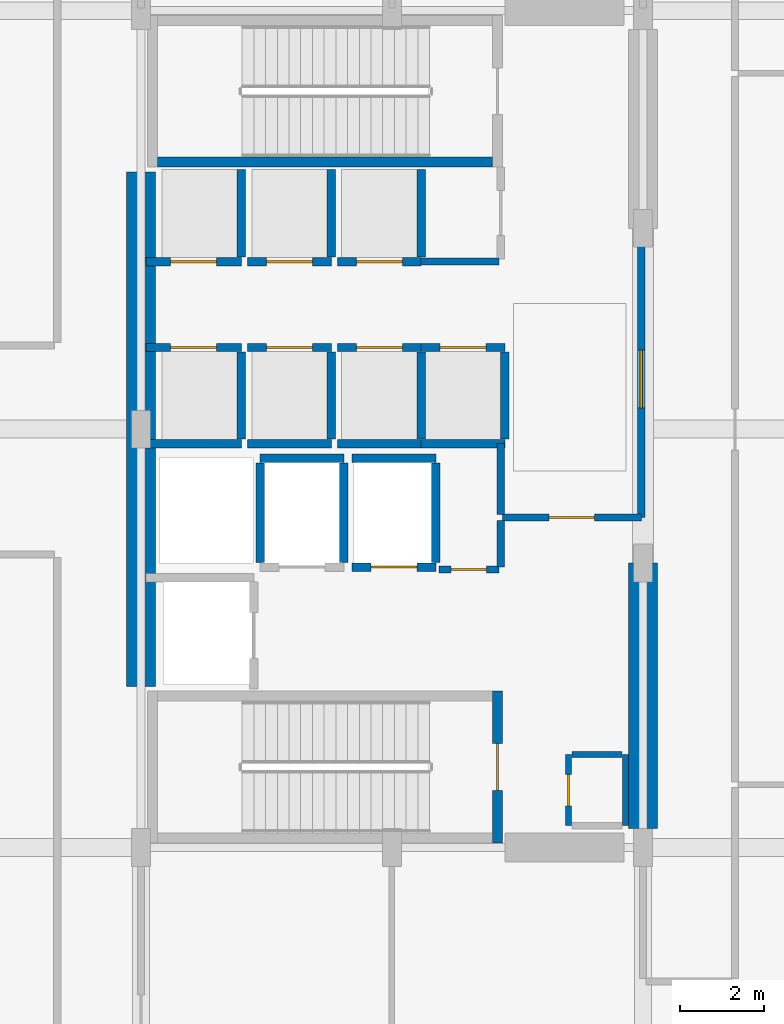
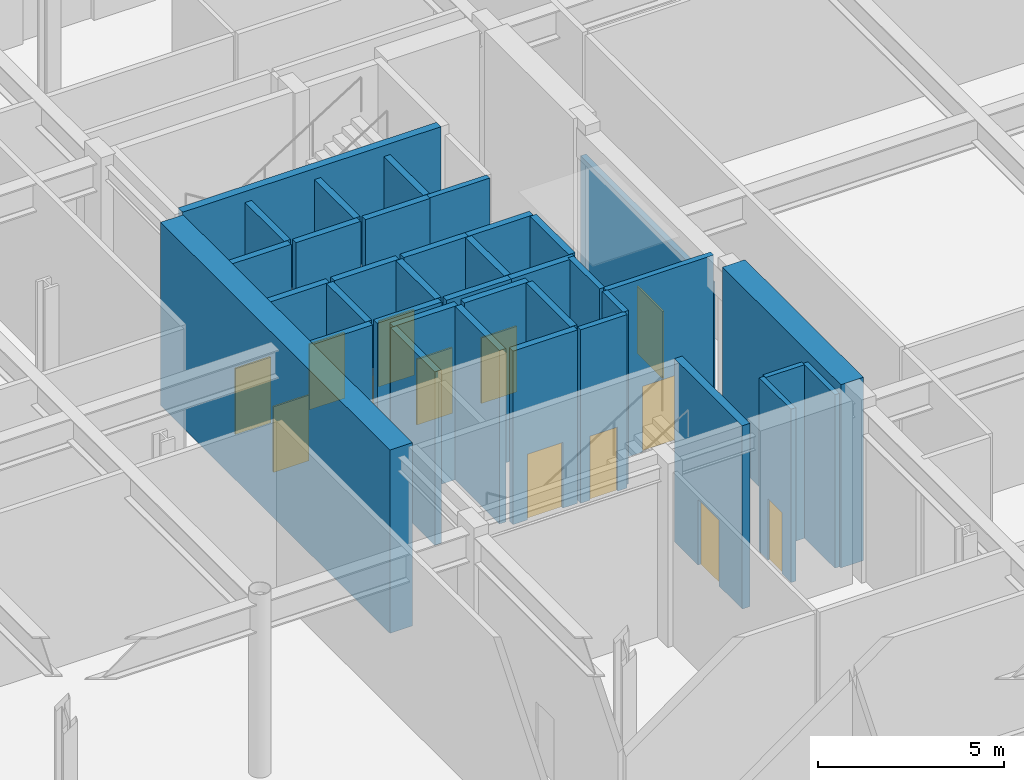
# One storey, part 21 of 31: 37 walls, 13 doors, 13 openings.
"""IFC4 building model written with IfcOpenShell, lengths in metres."""

import ifcopenshell
import ifcopenshell.guid

model = None  # the IFC model being written
_history = None  # IfcOwnerHistory: only IFC2X3 demands one
_inside = {}  # id of a spatial element -> (the spatial element, [elements in it])
_under = {}  # id of a project, library or spatial element -> (it, [spatial elements below it])
_declared = {}  # id of a project -> (the project, [libraries it declares])
_typed = {}  # id of a type object -> (the type object, [elements of that type])
_made_of = {}  # id of a material, layer set ... -> (it, [elements and type objects made of it])


def new_model(schema):
    """Start an empty IFC model of exactly this schema.

    Asked for "IFC4X3", IfcOpenShell would pick the latest addendum, in which some entities
    have other attributes; the version numbers below select the first issue.
    IFC2X3 requires an IfcOwnerHistory on every rooted entity: one is made here for all.
    """
    global model, _history
    if schema == "IFC4X3":
        model = ifcopenshell.file(schema_version=(4, 3, 0, 0))
    else:
        model = ifcopenshell.file(schema=schema)
    _inside.clear()
    _under.clear()
    _declared.clear()
    _typed.clear()
    _made_of.clear()
    _history = None
    if model.schema == "IFC2X3":
        org = make("IfcOrganization", Name="unknown")
        user = make(
            "IfcPersonAndOrganization",
            ThePerson=make("IfcPerson", FamilyName="unknown"),
            TheOrganization=org,
        )
        app = make(
            "IfcApplication",
            ApplicationDeveloper=org,
            Version="unknown",
            ApplicationFullName="unknown",
            ApplicationIdentifier="unknown",
        )
        _history = make(
            "IfcOwnerHistory",
            OwningUser=user,
            OwningApplication=app,
            ChangeAction="ADDED",
            CreationDate=0,
        )
    return model


def make(cls, **values):
    """One entity of the class cls with the attributes given. An attribute that is None is left unset."""
    return model.create_entity(
        cls, **{name: value for name, value in values.items() if value is not None}
    )


def rooted(cls, **values):
    """An entity with a GlobalId (a new one), such as an element, a storey or a relation."""
    return make(cls, GlobalId=ifcopenshell.guid.new(), OwnerHistory=_history, **values)


def si_unit(unit_type, name, prefix=None):
    """IfcSIUnit, for example si_unit("LENGTHUNIT", "METRE", prefix="MILLI")."""
    return make("IfcSIUnit", UnitType=unit_type, Prefix=prefix, Name=name)


def assignment(units):
    """IfcUnitAssignment: the units of a project."""
    return None if units is None else make("IfcUnitAssignment", Units=units)


def point(xyz):
    """IfcCartesianPoint."""
    return None if xyz is None else make("IfcCartesianPoint", Coordinates=xyz)


def direction(xyz):
    """IfcDirection."""
    return None if xyz is None else make("IfcDirection", DirectionRatios=xyz)


def frame(location, z_axis=None, x_axis=None):
    """IfcAxis2Placement3D, a coordinate frame: its origin and axes. An axis left out is left unset."""
    return make(
        "IfcAxis2Placement3D",
        Location=point(location),
        Axis=direction(z_axis),
        RefDirection=direction(x_axis),
    )


def frame_2d(location, x_axis=None):
    """IfcAxis2Placement2D, a coordinate frame in the plane: its origin and x axis."""
    return make(
        "IfcAxis2Placement2D", Location=point(location), RefDirection=direction(x_axis)
    )


def origin():
    """The frame at (0, 0, 0) with its axes left unset."""
    return frame((0.0, 0.0, 0.0))


def place(relative_to, where):
    """IfcLocalPlacement: puts the frame where relative to a parent placement (None: the world)."""
    return make(
        "IfcLocalPlacement", PlacementRelTo=relative_to, RelativePlacement=where
    )


def context(
    kind, dimensions, precision=None, world=None, true_north=None, identifier=None
):
    """IfcGeometricRepresentationContext, for example the 3D "Model" context."""
    return make(
        "IfcGeometricRepresentationContext",
        ContextIdentifier=identifier,
        ContextType=kind,
        CoordinateSpaceDimension=dimensions,
        Precision=precision,
        WorldCoordinateSystem=world,
        TrueNorth=true_north,
    )


def subcontext(parent, identifier, kind, view, scale=None):
    """IfcGeometricRepresentationSubContext, for example "Body" below "Model"."""
    return make(
        "IfcGeometricRepresentationSubContext",
        ContextIdentifier=identifier,
        ContextType=kind,
        ParentContext=parent,
        TargetScale=scale,
        TargetView=view,
    )


def project(units=None, contexts=None):
    """IfcProject with its units and contexts."""
    return rooted(
        "IfcProject",
        Name="project",
        RepresentationContexts=contexts,
        UnitsInContext=assignment(units),
    )


def spatial(cls, under=None, at=None, **own):
    """A site, building, storey or space (cls), placed at a placement, below another one or the project."""
    s = rooted(cls, ObjectPlacement=at, **own)
    if under is not None:
        _under.setdefault(under.id(), (under, []))[1].append(s)
    return s


def profile(cls, at=None, kind="AREA", **sizes):
    """A parametric profile (cls). Its sizes go by their IFC names, for example OverallWidth=200.0."""
    return make(cls, ProfileType=kind, Position=at, **sizes)


def rectangle(**sizes):
    """IfcRectangleProfileDef."""
    return profile("IfcRectangleProfileDef", **sizes)


def extrude(swept, where, along, depth):
    """IfcExtrudedAreaSolid: the profile swept, set in the frame where, extruded along a direction by depth."""
    return make(
        "IfcExtrudedAreaSolid",
        SweptArea=swept,
        Position=where,
        ExtrudedDirection=direction(along),
        Depth=depth,
    )


def shape(context_of_items, identifier, shape_type, items):
    """IfcShapeRepresentation: the items that make up one representation, for example the "Body"."""
    return make(
        "IfcShapeRepresentation",
        ContextOfItems=context_of_items,
        RepresentationIdentifier=identifier,
        RepresentationType=shape_type,
        Items=items,
    )


def material(Name=None, Category=None):
    """IfcMaterial."""
    return make("IfcMaterial", Name=Name, Category=Category)


def layer(
    of_material, thickness, ventilated=None, Name=None, Category=None, Priority=None
):
    """IfcMaterialLayer: one layer of a wall or slab, of a material (None: an air gap)."""
    return make(
        "IfcMaterialLayer",
        Material=of_material,
        LayerThickness=thickness,
        IsVentilated=ventilated,
        Name=Name,
        Category=Category,
        Priority=Priority,
    )


def layer_set(layers, Name=None):
    """IfcMaterialLayerSet."""
    return make("IfcMaterialLayerSet", MaterialLayers=layers, LayerSetName=Name)


def made_of(thing, what):
    """Note that an element or type object is made of a material, layer set ...; save() writes the relation."""
    if what is not None:
        _made_of.setdefault(what.id(), (what, []))[1].append(thing)
    return thing


def type_object(cls, material=None, **own):
    """A type object (cls), such as IfcWallType, which elements share."""
    return made_of(rooted(cls, **own), material)


def element(
    cls,
    number,
    at=None,
    inside=None,
    cuts=None,
    type_object=None,
    material=None,
    context=None,
    identifier="Body",
    shape_type=None,
    held_by="IfcProductDefinitionShape",
    body=None,
    shapes=None,
    **own,
):
    """One element of the class cls, such as IfcWall. Its Tag is "e" and its number.

    at: its placement. inside: the storey or other place that contains it. cuts: it is an
    opening in that element (IfcRelVoidsElement). A single representation is given by context,
    identifier, shape_type and body (its items); several are given by shapes. held_by: the class
    of the entity that holds the representations. save() writes the other relations.
    """
    e = rooted(cls, Tag="e%d" % number, ObjectPlacement=at, **own)
    if body is not None:
        shapes = [shape(context, identifier, shape_type, body)]
    if shapes is not None:
        e.Representation = make(held_by, Representations=shapes)
    if inside is not None:
        _inside.setdefault(inside.id(), (inside, []))[1].append(e)
    if cuts is not None:
        rooted(
            "IfcRelVoidsElement", RelatingBuildingElement=cuts, RelatedOpeningElement=e
        )
    if type_object is not None:
        _typed.setdefault(type_object.id(), (type_object, []))[1].append(e)
    return made_of(e, material)


def fill(opening, filler):
    """IfcRelFillsElement: the door or window that sits in an opening."""
    return rooted(
        "IfcRelFillsElement",
        RelatingOpeningElement=opening,
        RelatedBuildingElement=filler,
    )


def aggregate(whole, parts):
    """IfcRelAggregates: a whole, such as a stair, and the parts it consists of."""
    return rooted("IfcRelAggregates", RelatingObject=whole, RelatedObjects=parts)


def save(model, path):
    """Write the relations noted so far, then the file.

    IfcRelAggregates (storeys below a building ...), IfcRelContainedInSpatialStructure (elements
    in a storey), IfcRelDefinesByType, IfcRelAssociatesMaterial and IfcRelDeclares: one each for
    every whole, place, type object, material and project.
    """
    for whole, parts in _under.values():
        aggregate(whole, parts)
    for where, things in _inside.values():
        rooted(
            "IfcRelContainedInSpatialStructure",
            RelatedElements=things,
            RelatingStructure=where,
        )
    for kind, things in _typed.values():
        rooted("IfcRelDefinesByType", RelatedObjects=things, RelatingType=kind)
    for what, things in _made_of.values():
        rooted("IfcRelAssociatesMaterial", RelatedObjects=things, RelatingMaterial=what)
    for by, libraries in _declared.values():
        rooted("IfcRelDeclares", RelatingContext=by, RelatedDefinitions=libraries)
    model.write(path)


model = new_model("IFC4")

# Units and contexts
model_context = context("Model", 3, precision=1e-05, world=origin(), true_north=direction((0.0, 1.0)))
body_context = subcontext(model_context, "Body", "Model", "MODEL_VIEW")
ifc_project = project(units=[si_unit("LENGTHUNIT", "METRE"), si_unit("AREAUNIT", "SQUARE_METRE"), si_unit("VOLUMEUNIT", "CUBIC_METRE"), si_unit("PLANEANGLEUNIT", "RADIAN"), si_unit("MASSUNIT", "GRAM", prefix="KILO")], contexts=[model_context])

# Site, building, storey
site_placement = place(None, origin())
site = spatial("IfcSite", under=ifc_project, at=site_placement, CompositionType="ELEMENT")
building_placement = place(site_placement, origin())
building = spatial("IfcBuilding", under=site, at=building_placement, Name="Soratama Intermodal Tower", CompositionType="ELEMENT")
storey_placement = place(building_placement, origin())
storey = spatial("IfcBuildingStorey", under=building, at=storey_placement, Name="L00", CompositionType="ELEMENT", Elevation=0.0)

# Walls
ifc_material_1 = material(Name="Fire-rated gypsum stud partition", Category="concrete")
ifc_layer_1 = layer(ifc_material_1, 0.14990234375)
ifc_layer_set_1 = layer_set([ifc_layer_1], Name="Fire-rated gypsum stud partition")
wall_type_1 = type_object("IfcWallType", Name="IW-PART-R150", PredefinedType="PARTITIONING", material=ifc_layer_set_1)
wall_1_placement = place(storey_placement, frame((42.89990234375, 17.219970703125, 0.0), z_axis=(0.0, 0.0, 1.0), x_axis=(1.0, 0.0, 0.0)))
element("IfcWall", 1, at=wall_1_placement, inside=storey, type_object=wall_type_1, Name="L00 Riser Wall N", PredefinedType="PARTITIONING", context=body_context, shape_type="SweptSolid", body=[
    extrude(rectangle(XDim=1.2001953125, YDim=0.14990234375, at=frame_2d((0.60009765625, 0.0))), origin(), (0.0, 0.0, 1.0), 5.679931640625),
])
wall_2_placement = place(storey_placement, frame((44.179931640625, 15.52001953125, 0.0), z_axis=(0.0, 0.0, 1.0), x_axis=(0.0, 1.0, 0.0)))
element("IfcWall", 2, at=wall_2_placement, inside=storey, type_object=wall_type_1, Name="L00 Riser Wall E", PredefinedType="PARTITIONING", context=body_context, shape_type="SweptSolid", body=[
    extrude(rectangle(XDim=1.699951171875, YDim=0.14990234375, at=frame_2d((0.85009765625, 0.0))), origin(), (0.0, 0.0, 1.0), 5.679931640625),
])

# Wall, opening, door
wall_3_placement = place(storey_placement, frame((42.820068359375, 15.52001953125, 0.0), z_axis=(0.0, 0.0, 1.0), x_axis=(0.0, 1.0, 0.0)))
wall_3 = element("IfcWall", 3, at=wall_3_placement, inside=storey, type_object=wall_type_1, Name="L00 Riser Front Wall", PredefinedType="PARTITIONING", context=body_context, shape_type="SweptSolid", body=[
    extrude(rectangle(XDim=1.699951171875, YDim=0.14990234375, at=frame_2d((0.85009765625, 0.0))), origin(), (0.0, 0.0, 1.0), 5.679931640625),
])
opening_1_placement = place(wall_3_placement, frame((0.469970703125, 0.0, 0.0)))
opening_1 = element("IfcOpeningElement", 4, at=opening_1_placement, cuts=wall_3, Name="Opening TD-1", PredefinedType="OPENING", context=body_context, shape_type="SweptSolid", body=[
    extrude(rectangle(XDim=0.760009765625, YDim=2.0, at=frame_2d((0.3798828125, 1.0))), frame((0.0, 0.0849609375, 0.0), z_axis=(0.0, -1.0, 0.0), x_axis=(1.0, 0.0, 0.0)), (0.0, 0.0, 1.0), 0.169921875),
])
ifc_material_2 = material(Name="Steel fire door", Category="steel")
door_type_1 = type_object("IfcDoorType", Name="DR-RISER-TRAP", OperationType="NOTDEFINED", PredefinedType="TRAPDOOR", material=ifc_material_2)
door_1_placement = place(opening_1_placement, origin())
door_1 = element("IfcDoor", 5, at=door_1_placement, inside=storey, type_object=door_type_1, Name="L00 Riser Inspection Door", OperationType="SINGLE_SWING_LEFT", OverallHeight=2.0, OverallWidth=0.760009765625, PredefinedType="TRAPDOOR", context=body_context, shape_type="SweptSolid", body=[
    extrude(rectangle(XDim=0.760009765625, YDim=2.0, at=frame_2d((0.3798828125, 1.0))), frame((0.0, 0.02490234375, 0.0), z_axis=(0.0, -1.0, 0.0), x_axis=(1.0, 0.0, 0.0)), (0.0, 0.0, 1.0), 0.050048828125),
])
fill(opening_1, door_1)

ifc_material_3 = material(Name="Fire-rated gypsum stud partition", Category="concrete")
ifc_layer_2 = layer(ifc_material_3, 0.169921875)
ifc_layer_set_2 = layer_set([ifc_layer_2], Name="Fire-rated gypsum stud partition")
wall_type_2 = type_object("IfcWallType", Name="IW-PART-R170", PredefinedType="PARTITIONING", material=ifc_layer_set_2)
wall_4_placement = place(storey_placement, frame((44.56005859375, 29.800048828125, 0.0), z_axis=(0.0, 0.0, 1.0), x_axis=(0.0, -1.0, 0.0)))
wall_4 = element("IfcWall", 6, at=wall_4_placement, inside=storey, type_object=wall_type_2, Name="L00 Partition W-L00-TP018", PredefinedType="PARTITIONING", context=body_context, shape_type="SweptSolid", body=[
    extrude(rectangle(XDim=6.91015625, YDim=0.169921875, at=frame_2d((3.455078125, 0.0))), origin(), (0.0, 0.0, 1.0), 4.719970703125),
])
opening_2_placement = place(wall_4_placement, frame((2.9150390625, 0.0, 0.0)))
opening_2 = element("IfcOpeningElement", 7, at=opening_2_placement, cuts=wall_4, Name="Opening ID-2", PredefinedType="OPENING", context=body_context, shape_type="SweptSolid", body=[
    extrude(rectangle(XDim=1.3798828125, YDim=2.199951171875, at=frame_2d((0.68994140625, 1.10009765625))), frame((0.0, 0.094970703125, 0.0), z_axis=(0.0, -1.0, 0.0), x_axis=(1.0, 0.0, 0.0)), (0.0, 0.0, 1.0), 0.18994140625),
])
ifc_material_4 = material(Name="Solid hardwood acoustic door", Category="wood")
door_type_2 = type_object("IfcDoorType", Name="DR-POD-1400", OperationType="NOTDEFINED", PredefinedType="DOOR", material=ifc_material_4)
door_2_placement = place(opening_2_placement, origin())
door_2 = element("IfcDoor", 8, at=door_2_placement, inside=storey, type_object=door_type_2, Name="L00 Door D-L00-TP007", OperationType="SINGLE_SWING_RIGHT", OverallHeight=2.199951171875, OverallWidth=1.3798828125, PredefinedType="DOOR", context=body_context, shape_type="SweptSolid", body=[
    extrude(rectangle(XDim=1.3798828125, YDim=2.199951171875, at=frame_2d((0.68994140625, 1.10009765625))), frame((0.0, 0.02490234375, 0.0), z_axis=(0.0, -1.0, 0.0), x_axis=(1.0, 0.0, 0.0)), (0.0, 0.0, 1.0), 0.050048828125),
])
fill(opening_2, door_2)

wall_5_placement = place(storey_placement, frame((41.239990234375, 22.889892578125, 0.0), z_axis=(0.0, 0.0, 1.0), x_axis=(1.0, 0.0, 0.0)))
wall_5 = element("IfcWall", 9, at=wall_5_placement, inside=storey, type_object=wall_type_2, Name="L00 Partition W-L00-TP026", PredefinedType="PARTITIONING", context=body_context, shape_type="SweptSolid", body=[
    extrude(rectangle(XDim=3.320068359375, YDim=0.169921875, at=frame_2d((1.66015625, 0.0))), origin(), (0.0, 0.0, 1.0), 5.679931640625),
])
opening_3_placement = place(wall_5_placement, frame((1.1201171875, 0.0, 0.0)))
opening_3 = element("IfcOpeningElement", 10, at=opening_3_placement, cuts=wall_5, Name="Opening ID-0", PredefinedType="OPENING", context=body_context, shape_type="SweptSolid", body=[
    extrude(rectangle(XDim=1.080078125, YDim=2.14990234375, at=frame_2d((0.5400390625, 1.074951171875))), frame((0.0, 0.094970703125, 0.0), z_axis=(0.0, -1.0, 0.0), x_axis=(1.0, 0.0, 0.0)), (0.0, 0.0, 1.0), 0.18994140625),
])
ifc_material_5 = material(Name="Solid hardwood acoustic door", Category="wood")
door_type_3 = type_object("IfcDoorType", Name="DR-LOB-FD90", OperationType="NOTDEFINED", PredefinedType="DOOR", material=ifc_material_5)
door_3_placement = place(opening_3_placement, origin())
door_3 = element("IfcDoor", 11, at=door_3_placement, inside=storey, type_object=door_type_3, Name="L00 Door D-L00-TP011", OperationType="SINGLE_SWING_RIGHT", OverallHeight=2.14990234375, OverallWidth=1.080078125, PredefinedType="DOOR", context=body_context, shape_type="SweptSolid", body=[
    extrude(rectangle(XDim=1.080078125, YDim=2.14990234375, at=frame_2d((0.5400390625, 1.074951171875))), frame((0.0, 0.02490234375, 0.0), z_axis=(0.0, -1.0, 0.0), x_axis=(1.0, 0.0, 0.0)), (0.0, 0.0, 1.0), 0.050048828125),
])
fill(opening_3, door_3)

# Walls
wall_6_placement = place(storey_placement, frame((39.300048828125, 29.010009765625, 0.0), z_axis=(0.0, 0.0, 1.0), x_axis=(1.0, 0.0, 0.0)))
element("IfcWall", 12, at=wall_6_placement, inside=storey, type_object=wall_type_2, Name="L00 Partition W-L00-TP038", PredefinedType="PARTITIONING", context=body_context, shape_type="SweptSolid", body=[
    extrude(rectangle(XDim=1.85986328125, YDim=0.169921875, at=frame_2d((0.929931640625, 0.0))), origin(), (0.0, 0.0, 1.0), 5.679931640625),
])
wall_7_placement = place(storey_placement, frame((41.199951171875, 22.9599609375, 0.0), z_axis=(0.0, 0.0, 1.0), x_axis=(0.0, 1.0, 0.0)))
element("IfcWall", 13, at=wall_7_placement, inside=storey, type_object=wall_type_2, Name="L00 Partition W-L00-TP039", PredefinedType="PARTITIONING", context=body_context, shape_type="SweptSolid", body=[
    extrude(rectangle(XDim=1.68994140625, YDim=0.169921875, at=frame_2d((0.844970703125, 0.0))), origin(), (0.0, 0.0, 1.0), 5.679931640625),
])

# Wall, opening, door
wall_8_placement = place(storey_placement, frame((39.719970703125, 21.639892578125, 0.0), z_axis=(0.0, 0.0, 1.0), x_axis=(1.0, 0.0, 0.0)))
wall_8 = element("IfcWall", 14, at=wall_8_placement, inside=storey, type_object=wall_type_2, Name="L00 Partition W-L00-TP040", PredefinedType="PARTITIONING", context=body_context, shape_type="SweptSolid", body=[
    extrude(rectangle(XDim=1.43994140625, YDim=0.169921875, at=frame_2d((0.719970703125, 0.0))), origin(), (0.0, 0.0, 1.0), 5.679931640625),
])
opening_4_placement = place(wall_8_placement, frame((0.294921875, 0.0, 0.0)))
opening_4 = element("IfcOpeningElement", 15, at=opening_4_placement, cuts=wall_8, Name="Opening ID-4", PredefinedType="OPENING", context=body_context, shape_type="SweptSolid", body=[
    extrude(rectangle(XDim=0.85009765625, YDim=2.10009765625, at=frame_2d((0.425048828125, 1.050048828125))), frame((0.0, 0.094970703125, 0.0), z_axis=(0.0, -1.0, 0.0), x_axis=(1.0, 0.0, 0.0)), (0.0, 0.0, 1.0), 0.18994140625),
])
ifc_material_6 = material(Name="Solid hardwood acoustic door", Category="wood")
door_type_4 = type_object("IfcDoorType", Name="DR-BATH-850", OperationType="NOTDEFINED", PredefinedType="DOOR", material=ifc_material_6)
door_4_placement = place(opening_4_placement, origin())
door_4 = element("IfcDoor", 16, at=door_4_placement, inside=storey, type_object=door_type_4, Name="L00 Door D-L00-TP013", OperationType="SINGLE_SWING_RIGHT", OverallHeight=2.10009765625, OverallWidth=0.85009765625, PredefinedType="DOOR", context=body_context, shape_type="SweptSolid", body=[
    extrude(rectangle(XDim=0.85009765625, YDim=2.10009765625, at=frame_2d((0.425048828125, 1.050048828125))), frame((0.0, 0.02490234375, 0.0), z_axis=(0.0, -1.0, 0.0), x_axis=(1.0, 0.0, 0.0)), (0.0, 0.0, 1.0), 0.050048828125),
])
fill(opening_4, door_4)

# Walls
wall_9_placement = place(storey_placement, frame((41.199951171875, 21.699951171875, 0.0), z_axis=(0.0, 0.0, 1.0), x_axis=(0.0, 1.0, 0.0)))
element("IfcWall", 17, at=wall_9_placement, inside=storey, type_object=wall_type_2, Name="L00 Partition W-L00-TP043", PredefinedType="PARTITIONING", context=body_context, shape_type="SweptSolid", body=[
    extrude(rectangle(XDim=1.1201171875, YDim=0.169921875, at=frame_2d((0.56005859375, 0.0))), origin(), (0.0, 0.0, 1.0), 5.679931640625),
])
ifc_material_7 = material(Name="Concrete f'c 42 MPa", Category="concrete")
ifc_layer_3 = layer(ifc_material_7, 0.199951171875)
ifc_layer_set_3 = layer_set([ifc_layer_3], Name="Concrete f'c 42 MPa")
wall_type_3 = type_object("IfcWallType", Name="IW-SHAFT-200", PredefinedType="SOLIDWALL", material=ifc_layer_set_3)
wall_10_placement = place(storey_placement, frame((35.449951171875, 24.300048828125, 0.0), z_axis=(0.0, 0.0, 1.0), x_axis=(1.0, 0.0, 0.0)))
element("IfcWall", 18, at=wall_10_placement, inside=storey, type_object=wall_type_3, Name="L00 FFL-1 Hoistway Wall N", PredefinedType="SOLIDWALL", context=body_context, shape_type="SweptSolid", body=[
    extrude(rectangle(XDim=2.0, YDim=0.199951171875, at=frame_2d((1.0, 0.0))), origin(), (0.0, 0.0, 1.0), 5.679931640625),
])
for number, where, z_axis, x_axis, name in (
    (19, (35.449951171875, 21.81005859375, 0.0), (0.0, 0.0, 1.0), (0.0, 1.0, 0.0), "L00 FFL-1 Hoistway Wall W"),
    (20, (37.449951171875, 21.81005859375, 0.0), (0.0, 0.0, 1.0), (0.0, 1.0, 0.0), "L00 FFL-1 Hoistway Wall E"),
):
    element("IfcWall", number, at=place(storey_placement, frame(where, z_axis=z_axis, x_axis=x_axis)), inside=storey, type_object=wall_type_3, Name=name, PredefinedType="SOLIDWALL", context=body_context, shape_type="SweptSolid", body=[
        extrude(rectangle(XDim=2.3798828125, YDim=0.199951171875, at=frame_2d((1.18994140625, 0.0))), origin(), (0.0, 0.0, 1.0), 5.679931640625),
    ])

# Wall, opening, door
wall_11_placement = place(storey_placement, frame((37.64990234375, 21.699951171875, 0.0), z_axis=(0.0, 0.0, 1.0), x_axis=(1.0, 0.0, 0.0)))
wall_11 = element("IfcWall", 21, at=wall_11_placement, inside=storey, type_object=wall_type_3, Name="L00 FFL-2 Hoistway Wall S", PredefinedType="SOLIDWALL", context=body_context, shape_type="SweptSolid", body=[
    extrude(rectangle(XDim=2.0, YDim=0.199951171875, at=frame_2d((1.0, 0.0))), origin(), (0.0, 0.0, 1.0), 5.679931640625),
])
opening_5_placement = place(wall_11_placement, frame((0.449951171875, 0.0, 0.0)))
opening_5 = element("IfcOpeningElement", 22, at=opening_5_placement, cuts=wall_11, Name="Opening LD-1", PredefinedType="OPENING", context=body_context, shape_type="SweptSolid", body=[
    extrude(rectangle(XDim=1.10009765625, YDim=2.14990234375, at=frame_2d((0.550048828125, 1.074951171875))), frame((0.0, 0.10986328125, 0.0), z_axis=(0.0, -1.0, 0.0), x_axis=(1.0, 0.0, 0.0)), (0.0, 0.0, 1.0), 0.219970703125),
])
ifc_material_8 = material(Name="Steel fire door", Category="steel")
door_type_5 = type_object("IfcDoorType", Name="DR-LIFT-SLIDE", OperationType="NOTDEFINED", PredefinedType="DOOR", material=ifc_material_8)
door_5_placement = place(opening_5_placement, origin())
door_5 = element("IfcDoor", 23, at=door_5_placement, inside=storey, type_object=door_type_5, Name="L00 FFL-2 Sliding Landing Door", OperationType="SLIDING_TO_LEFT", OverallHeight=2.14990234375, OverallWidth=1.10009765625, PredefinedType="DOOR", context=body_context, shape_type="SweptSolid", body=[
    extrude(rectangle(XDim=1.10009765625, YDim=2.14990234375, at=frame_2d((0.550048828125, 1.074951171875))), frame((0.0, 0.02490234375, 0.0), z_axis=(0.0, -1.0, 0.0), x_axis=(1.0, 0.0, 0.0)), (0.0, 0.0, 1.0), 0.050048828125),
])
fill(opening_5, door_5)

# Walls
wall_12_placement = place(storey_placement, frame((37.64990234375, 24.300048828125, 0.0), z_axis=(0.0, 0.0, 1.0), x_axis=(1.0, 0.0, 0.0)))
element("IfcWall", 24, at=wall_12_placement, inside=storey, type_object=wall_type_3, Name="L00 FFL-2 Hoistway Wall N", PredefinedType="SOLIDWALL", context=body_context, shape_type="SweptSolid", body=[
    extrude(rectangle(XDim=2.0, YDim=0.199951171875, at=frame_2d((1.0, 0.0))), origin(), (0.0, 0.0, 1.0), 5.679931640625),
])
wall_13_placement = place(storey_placement, frame((39.64990234375, 21.81005859375, 0.0), z_axis=(0.0, 0.0, 1.0), x_axis=(0.0, 1.0, 0.0)))
element("IfcWall", 25, at=wall_13_placement, inside=storey, type_object=wall_type_3, Name="L00 FFL-2 Hoistway Wall E", PredefinedType="SOLIDWALL", context=body_context, shape_type="SweptSolid", body=[
    extrude(rectangle(XDim=2.3798828125, YDim=0.199951171875, at=frame_2d((1.18994140625, 0.0))), origin(), (0.0, 0.0, 1.0), 5.679931640625),
])
wall_14_placement = place(storey_placement, frame((32.719970703125, 24.64990234375, 0.0), z_axis=(0.0, 0.0, 1.0), x_axis=(1.0, 0.0, 0.0)))
element("IfcWall", 26, at=wall_14_placement, inside=storey, type_object=wall_type_3, Name="L00 PL-L1 Hoistway Wall S", PredefinedType="SOLIDWALL", context=body_context, shape_type="SweptSolid", body=[
    extrude(rectangle(XDim=2.280029296875, YDim=0.199951171875, at=frame_2d((1.14013671875, 0.0))), origin(), (0.0, 0.0, 1.0), 5.679931640625),
])

# Wall, opening, door
wall_15_placement = place(storey_placement, frame((32.719970703125, 26.949951171875, 0.0), z_axis=(0.0, 0.0, 1.0), x_axis=(1.0, 0.0, 0.0)))
wall_15 = element("IfcWall", 27, at=wall_15_placement, inside=storey, type_object=wall_type_3, Name="L00 PL-L1 Hoistway Wall N", PredefinedType="SOLIDWALL", context=body_context, shape_type="SweptSolid", body=[
    extrude(rectangle(XDim=2.280029296875, YDim=0.199951171875, at=frame_2d((1.14013671875, 0.0))), origin(), (0.0, 0.0, 1.0), 5.679931640625),
])
opening_6_placement = place(wall_15_placement, frame((0.590087890625, 0.0, 0.0)))
opening_6 = element("IfcOpeningElement", 28, at=opening_6_placement, cuts=wall_15, Name="Opening LD-1", PredefinedType="OPENING", context=body_context, shape_type="SweptSolid", body=[
    extrude(rectangle(XDim=1.10009765625, YDim=2.14990234375, at=frame_2d((0.550048828125, 1.074951171875))), frame((0.0, 0.10986328125, 0.0), z_axis=(0.0, -1.0, 0.0), x_axis=(1.0, 0.0, 0.0)), (0.0, 0.0, 1.0), 0.219970703125),
])
door_6_placement = place(opening_6_placement, origin())
door_6 = element("IfcDoor", 29, at=door_6_placement, inside=storey, type_object=door_type_5, Name="L00 PL-L1 Sliding Landing Door", OperationType="SLIDING_TO_LEFT", OverallHeight=2.14990234375, OverallWidth=1.10009765625, PredefinedType="DOOR", context=body_context, shape_type="SweptSolid", body=[
    extrude(rectangle(XDim=1.10009765625, YDim=2.14990234375, at=frame_2d((0.550048828125, 1.074951171875))), frame((0.0, 0.02490234375, 0.0), z_axis=(0.0, -1.0, 0.0), x_axis=(1.0, 0.0, 0.0)), (0.0, 0.0, 1.0), 0.050048828125),
])
fill(opening_6, door_6)

# Walls
wall_16_placement = place(storey_placement, frame((35.0, 24.760009765625, 0.0), z_axis=(0.0, 0.0, 1.0), x_axis=(0.0, 1.0, 0.0)))
element("IfcWall", 30, at=wall_16_placement, inside=storey, type_object=wall_type_3, Name="L00 PL-L1 Hoistway Wall E", PredefinedType="SOLIDWALL", context=body_context, shape_type="SweptSolid", body=[
    extrude(rectangle(XDim=2.080078125, YDim=0.199951171875, at=frame_2d((1.0400390625, 0.0))), origin(), (0.0, 0.0, 1.0), 5.679931640625),
])
wall_17_placement = place(storey_placement, frame((35.14990234375, 24.64990234375, 0.0), z_axis=(0.0, 0.0, 1.0), x_axis=(1.0, 0.0, 0.0)))
element("IfcWall", 31, at=wall_17_placement, inside=storey, type_object=wall_type_3, Name="L00 PL-L2 Hoistway Wall S", PredefinedType="SOLIDWALL", context=body_context, shape_type="SweptSolid", body=[
    extrude(rectangle(XDim=2.0, YDim=0.199951171875, at=frame_2d((1.0, 0.0))), origin(), (0.0, 0.0, 1.0), 5.679931640625),
])

# Wall, opening, door
wall_18_placement = place(storey_placement, frame((35.14990234375, 26.949951171875, 0.0), z_axis=(0.0, 0.0, 1.0), x_axis=(1.0, 0.0, 0.0)))
wall_18 = element("IfcWall", 32, at=wall_18_placement, inside=storey, type_object=wall_type_3, Name="L00 PL-L2 Hoistway Wall N", PredefinedType="SOLIDWALL", context=body_context, shape_type="SweptSolid", body=[
    extrude(rectangle(XDim=2.0, YDim=0.199951171875, at=frame_2d((1.0, 0.0))), origin(), (0.0, 0.0, 1.0), 5.679931640625),
])
opening_7_placement = place(wall_18_placement, frame((0.449951171875, 0.0, 0.0)))
opening_7 = element("IfcOpeningElement", 33, at=opening_7_placement, cuts=wall_18, Name="Opening LD-1", PredefinedType="OPENING", context=body_context, shape_type="SweptSolid", body=[
    extrude(rectangle(XDim=1.10009765625, YDim=2.14990234375, at=frame_2d((0.550048828125, 1.074951171875))), frame((0.0, 0.10986328125, 0.0), z_axis=(0.0, -1.0, 0.0), x_axis=(1.0, 0.0, 0.0)), (0.0, 0.0, 1.0), 0.219970703125),
])
door_7_placement = place(opening_7_placement, origin())
door_7 = element("IfcDoor", 34, at=door_7_placement, inside=storey, type_object=door_type_5, Name="L00 PL-L2 Sliding Landing Door", OperationType="SLIDING_TO_LEFT", OverallHeight=2.14990234375, OverallWidth=1.10009765625, PredefinedType="DOOR", context=body_context, shape_type="SweptSolid", body=[
    extrude(rectangle(XDim=1.10009765625, YDim=2.14990234375, at=frame_2d((0.550048828125, 1.074951171875))), frame((0.0, 0.02490234375, 0.0), z_axis=(0.0, -1.0, 0.0), x_axis=(1.0, 0.0, 0.0)), (0.0, 0.0, 1.0), 0.050048828125),
])
fill(opening_7, door_7)

# Walls
wall_19_placement = place(storey_placement, frame((37.14990234375, 24.760009765625, 0.0), z_axis=(0.0, 0.0, 1.0), x_axis=(0.0, 1.0, 0.0)))
element("IfcWall", 35, at=wall_19_placement, inside=storey, type_object=wall_type_3, Name="L00 PL-L2 Hoistway Wall E", PredefinedType="SOLIDWALL", context=body_context, shape_type="SweptSolid", body=[
    extrude(rectangle(XDim=2.080078125, YDim=0.199951171875, at=frame_2d((1.0400390625, 0.0))), origin(), (0.0, 0.0, 1.0), 5.679931640625),
])
wall_20_placement = place(storey_placement, frame((37.300048828125, 24.64990234375, 0.0), z_axis=(0.0, 0.0, 1.0), x_axis=(1.0, 0.0, 0.0)))
element("IfcWall", 36, at=wall_20_placement, inside=storey, type_object=wall_type_3, Name="L00 PL-L3 Hoistway Wall S", PredefinedType="SOLIDWALL", context=body_context, shape_type="SweptSolid", body=[
    extrude(rectangle(XDim=2.0, YDim=0.199951171875, at=frame_2d((1.0, 0.0))), origin(), (0.0, 0.0, 1.0), 5.679931640625),
])

# Wall, opening, door
wall_21_placement = place(storey_placement, frame((37.300048828125, 26.949951171875, 0.0), z_axis=(0.0, 0.0, 1.0), x_axis=(1.0, 0.0, 0.0)))
wall_21 = element("IfcWall", 37, at=wall_21_placement, inside=storey, type_object=wall_type_3, Name="L00 PL-L3 Hoistway Wall N", PredefinedType="SOLIDWALL", context=body_context, shape_type="SweptSolid", body=[
    extrude(rectangle(XDim=2.0, YDim=0.199951171875, at=frame_2d((1.0, 0.0))), origin(), (0.0, 0.0, 1.0), 5.679931640625),
])
opening_8_placement = place(wall_21_placement, frame((0.449951171875, 0.0, 0.0)))
opening_8 = element("IfcOpeningElement", 38, at=opening_8_placement, cuts=wall_21, Name="Opening LD-1", PredefinedType="OPENING", context=body_context, shape_type="SweptSolid", body=[
    extrude(rectangle(XDim=1.10009765625, YDim=2.14990234375, at=frame_2d((0.550048828125, 1.074951171875))), frame((0.0, 0.10986328125, 0.0), z_axis=(0.0, -1.0, 0.0), x_axis=(1.0, 0.0, 0.0)), (0.0, 0.0, 1.0), 0.219970703125),
])
door_8_placement = place(opening_8_placement, origin())
door_8 = element("IfcDoor", 39, at=door_8_placement, inside=storey, type_object=door_type_5, Name="L00 PL-L3 Sliding Landing Door", OperationType="SLIDING_TO_LEFT", OverallHeight=2.14990234375, OverallWidth=1.10009765625, PredefinedType="DOOR", context=body_context, shape_type="SweptSolid", body=[
    extrude(rectangle(XDim=1.10009765625, YDim=2.14990234375, at=frame_2d((0.550048828125, 1.074951171875))), frame((0.0, 0.02490234375, 0.0), z_axis=(0.0, -1.0, 0.0), x_axis=(1.0, 0.0, 0.0)), (0.0, 0.0, 1.0), 0.050048828125),
])
fill(opening_8, door_8)

# Walls
wall_22_placement = place(storey_placement, frame((39.300048828125, 24.760009765625, 0.0), z_axis=(0.0, 0.0, 1.0), x_axis=(0.0, 1.0, 0.0)))
element("IfcWall", 40, at=wall_22_placement, inside=storey, type_object=wall_type_3, Name="L00 PL-L3 Hoistway Wall E", PredefinedType="SOLIDWALL", context=body_context, shape_type="SweptSolid", body=[
    extrude(rectangle(XDim=2.080078125, YDim=0.199951171875, at=frame_2d((1.0400390625, 0.0))), origin(), (0.0, 0.0, 1.0), 5.679931640625),
])
wall_23_placement = place(storey_placement, frame((39.300048828125, 24.64990234375, 0.0), z_axis=(0.0, 0.0, 1.0), x_axis=(1.0, 0.0, 0.0)))
element("IfcWall", 41, at=wall_23_placement, inside=storey, type_object=wall_type_3, Name="L00 PL-M1 Hoistway Wall S", PredefinedType="SOLIDWALL", context=body_context, shape_type="SweptSolid", body=[
    extrude(rectangle(XDim=2.0, YDim=0.199951171875, at=frame_2d((1.0, 0.0))), origin(), (0.0, 0.0, 1.0), 5.679931640625),
])

# Wall, opening, door
wall_24_placement = place(storey_placement, frame((39.300048828125, 26.949951171875, 0.0), z_axis=(0.0, 0.0, 1.0), x_axis=(1.0, 0.0, 0.0)))
wall_24 = element("IfcWall", 42, at=wall_24_placement, inside=storey, type_object=wall_type_3, Name="L00 PL-M1 Hoistway Wall N", PredefinedType="SOLIDWALL", context=body_context, shape_type="SweptSolid", body=[
    extrude(rectangle(XDim=2.0, YDim=0.199951171875, at=frame_2d((1.0, 0.0))), origin(), (0.0, 0.0, 1.0), 5.679931640625),
])
opening_9_placement = place(wall_24_placement, frame((0.449951171875, 0.0, 0.0)))
opening_9 = element("IfcOpeningElement", 43, at=opening_9_placement, cuts=wall_24, Name="Opening LD-1", PredefinedType="OPENING", context=body_context, shape_type="SweptSolid", body=[
    extrude(rectangle(XDim=1.10009765625, YDim=2.14990234375, at=frame_2d((0.550048828125, 1.074951171875))), frame((0.0, 0.10986328125, 0.0), z_axis=(0.0, -1.0, 0.0), x_axis=(1.0, 0.0, 0.0)), (0.0, 0.0, 1.0), 0.219970703125),
])
door_9_placement = place(opening_9_placement, origin())
door_9 = element("IfcDoor", 44, at=door_9_placement, inside=storey, type_object=door_type_5, Name="L00 PL-M1 Sliding Landing Door", OperationType="SLIDING_TO_LEFT", OverallHeight=2.14990234375, OverallWidth=1.10009765625, PredefinedType="DOOR", context=body_context, shape_type="SweptSolid", body=[
    extrude(rectangle(XDim=1.10009765625, YDim=2.14990234375, at=frame_2d((0.550048828125, 1.074951171875))), frame((0.0, 0.02490234375, 0.0), z_axis=(0.0, -1.0, 0.0), x_axis=(1.0, 0.0, 0.0)), (0.0, 0.0, 1.0), 0.050048828125),
])
fill(opening_9, door_9)

# Wall
wall_25_placement = place(storey_placement, frame((41.300048828125, 24.760009765625, 0.0), z_axis=(0.0, 0.0, 1.0), x_axis=(0.0, 1.0, 0.0)))
element("IfcWall", 45, at=wall_25_placement, inside=storey, type_object=wall_type_3, Name="L00 PL-M1 Hoistway Wall E", PredefinedType="SOLIDWALL", context=body_context, shape_type="SweptSolid", body=[
    extrude(rectangle(XDim=2.080078125, YDim=0.199951171875, at=frame_2d((1.0400390625, 0.0))), origin(), (0.0, 0.0, 1.0), 5.679931640625),
])

# Wall, opening, door
wall_26_placement = place(storey_placement, frame((32.719970703125, 29.0, 0.0), z_axis=(0.0, 0.0, 1.0), x_axis=(1.0, 0.0, 0.0)))
wall_26 = element("IfcWall", 46, at=wall_26_placement, inside=storey, type_object=wall_type_3, Name="L00 PL-M2 Hoistway Wall S", PredefinedType="SOLIDWALL", context=body_context, shape_type="SweptSolid", body=[
    extrude(rectangle(XDim=2.280029296875, YDim=0.199951171875, at=frame_2d((1.14013671875, 0.0))), origin(), (0.0, 0.0, 1.0), 5.679931640625),
])
opening_10_placement = place(wall_26_placement, frame((0.590087890625, 0.0, 0.0)))
opening_10 = element("IfcOpeningElement", 47, at=opening_10_placement, cuts=wall_26, Name="Opening LD-1", PredefinedType="OPENING", context=body_context, shape_type="SweptSolid", body=[
    extrude(rectangle(XDim=1.10009765625, YDim=2.14990234375, at=frame_2d((0.550048828125, 1.074951171875))), frame((0.0, 0.10986328125, 0.0), z_axis=(0.0, -1.0, 0.0), x_axis=(1.0, 0.0, 0.0)), (0.0, 0.0, 1.0), 0.219970703125),
])
door_10_placement = place(opening_10_placement, origin())
door_10 = element("IfcDoor", 48, at=door_10_placement, inside=storey, type_object=door_type_5, Name="L00 PL-M2 Sliding Landing Door", OperationType="SLIDING_TO_LEFT", OverallHeight=2.14990234375, OverallWidth=1.10009765625, PredefinedType="DOOR", context=body_context, shape_type="SweptSolid", body=[
    extrude(rectangle(XDim=1.10009765625, YDim=2.14990234375, at=frame_2d((0.550048828125, 1.074951171875))), frame((0.0, 0.02490234375, 0.0), z_axis=(0.0, -1.0, 0.0), x_axis=(1.0, 0.0, 0.0)), (0.0, 0.0, 1.0), 0.050048828125),
])
fill(opening_10, door_10)

# Wall
wall_27_placement = place(storey_placement, frame((35.0, 29.110107421875, 0.0), z_axis=(0.0, 0.0, 1.0), x_axis=(0.0, 1.0, 0.0)))
element("IfcWall", 49, at=wall_27_placement, inside=storey, type_object=wall_type_3, Name="L00 PL-M2 Hoistway Wall E", PredefinedType="SOLIDWALL", context=body_context, shape_type="SweptSolid", body=[
    extrude(rectangle(XDim=2.099853515625, YDim=0.199951171875, at=frame_2d((1.0498046875, 0.0))), origin(), (0.0, 0.0, 1.0), 5.679931640625),
])

# Wall, opening, door
wall_28_placement = place(storey_placement, frame((35.14990234375, 29.0, 0.0), z_axis=(0.0, 0.0, 1.0), x_axis=(1.0, 0.0, 0.0)))
wall_28 = element("IfcWall", 50, at=wall_28_placement, inside=storey, type_object=wall_type_3, Name="L00 PL-H1 Hoistway Wall S", PredefinedType="SOLIDWALL", context=body_context, shape_type="SweptSolid", body=[
    extrude(rectangle(XDim=2.0, YDim=0.199951171875, at=frame_2d((1.0, 0.0))), origin(), (0.0, 0.0, 1.0), 5.679931640625),
])
opening_11_placement = place(wall_28_placement, frame((0.449951171875, 0.0, 0.0)))
opening_11 = element("IfcOpeningElement", 51, at=opening_11_placement, cuts=wall_28, Name="Opening LD-1", PredefinedType="OPENING", context=body_context, shape_type="SweptSolid", body=[
    extrude(rectangle(XDim=1.10009765625, YDim=2.14990234375, at=frame_2d((0.550048828125, 1.074951171875))), frame((0.0, 0.10986328125, 0.0), z_axis=(0.0, -1.0, 0.0), x_axis=(1.0, 0.0, 0.0)), (0.0, 0.0, 1.0), 0.219970703125),
])
door_11_placement = place(opening_11_placement, origin())
door_11 = element("IfcDoor", 52, at=door_11_placement, inside=storey, type_object=door_type_5, Name="L00 PL-H1 Sliding Landing Door", OperationType="SLIDING_TO_LEFT", OverallHeight=2.14990234375, OverallWidth=1.10009765625, PredefinedType="DOOR", context=body_context, shape_type="SweptSolid", body=[
    extrude(rectangle(XDim=1.10009765625, YDim=2.14990234375, at=frame_2d((0.550048828125, 1.074951171875))), frame((0.0, 0.02490234375, 0.0), z_axis=(0.0, -1.0, 0.0), x_axis=(1.0, 0.0, 0.0)), (0.0, 0.0, 1.0), 0.050048828125),
])
fill(opening_11, door_11)

# Wall
wall_29_placement = place(storey_placement, frame((37.14990234375, 29.110107421875, 0.0), z_axis=(0.0, 0.0, 1.0), x_axis=(0.0, 1.0, 0.0)))
element("IfcWall", 53, at=wall_29_placement, inside=storey, type_object=wall_type_3, Name="L00 PL-H1 Hoistway Wall E", PredefinedType="SOLIDWALL", context=body_context, shape_type="SweptSolid", body=[
    extrude(rectangle(XDim=2.099853515625, YDim=0.199951171875, at=frame_2d((1.0498046875, 0.0))), origin(), (0.0, 0.0, 1.0), 5.679931640625),
])

# Wall, opening, door
wall_30_placement = place(storey_placement, frame((37.300048828125, 29.0, 0.0), z_axis=(0.0, 0.0, 1.0), x_axis=(1.0, 0.0, 0.0)))
wall_30 = element("IfcWall", 54, at=wall_30_placement, inside=storey, type_object=wall_type_3, Name="L00 PL-H2 Hoistway Wall S", PredefinedType="SOLIDWALL", context=body_context, shape_type="SweptSolid", body=[
    extrude(rectangle(XDim=2.0, YDim=0.199951171875, at=frame_2d((1.0, 0.0))), origin(), (0.0, 0.0, 1.0), 5.679931640625),
])
opening_12_placement = place(wall_30_placement, frame((0.449951171875, 0.0, 0.0)))
opening_12 = element("IfcOpeningElement", 55, at=opening_12_placement, cuts=wall_30, Name="Opening LD-1", PredefinedType="OPENING", context=body_context, shape_type="SweptSolid", body=[
    extrude(rectangle(XDim=1.10009765625, YDim=2.14990234375, at=frame_2d((0.550048828125, 1.074951171875))), frame((0.0, 0.10986328125, 0.0), z_axis=(0.0, -1.0, 0.0), x_axis=(1.0, 0.0, 0.0)), (0.0, 0.0, 1.0), 0.219970703125),
])
door_12_placement = place(opening_12_placement, origin())
door_12 = element("IfcDoor", 56, at=door_12_placement, inside=storey, type_object=door_type_5, Name="L00 PL-H2 Sliding Landing Door", OperationType="SLIDING_TO_LEFT", OverallHeight=2.14990234375, OverallWidth=1.10009765625, PredefinedType="DOOR", context=body_context, shape_type="SweptSolid", body=[
    extrude(rectangle(XDim=1.10009765625, YDim=2.14990234375, at=frame_2d((0.550048828125, 1.074951171875))), frame((0.0, 0.02490234375, 0.0), z_axis=(0.0, -1.0, 0.0), x_axis=(1.0, 0.0, 0.0)), (0.0, 0.0, 1.0), 0.050048828125),
])
fill(opening_12, door_12)

# Walls
wall_31_placement = place(storey_placement, frame((39.300048828125, 29.110107421875, 0.0), z_axis=(0.0, 0.0, 1.0), x_axis=(0.0, 1.0, 0.0)))
element("IfcWall", 57, at=wall_31_placement, inside=storey, type_object=wall_type_3, Name="L00 PL-H2 Hoistway Wall E", PredefinedType="SOLIDWALL", context=body_context, shape_type="SweptSolid", body=[
    extrude(rectangle(XDim=2.099853515625, YDim=0.199951171875, at=frame_2d((1.0498046875, 0.0))), origin(), (0.0, 0.0, 1.0), 5.679931640625),
])
ifc_material_9 = material(Name="Concrete f'c 56 MPa", Category="concrete")
ifc_layer_4 = layer(ifc_material_9, 0.699951171875)
ifc_layer_set_4 = layer_set([ifc_layer_4], Name="Concrete f'c 56 MPa")
wall_type_4 = type_object("IfcWallType", Name="SW-CORE-700", PredefinedType="SHEAR", material=ifc_layer_set_4)
wall_32_placement = place(storey_placement, frame((32.60009765625, 18.85009765625, 0.0), z_axis=(0.0, 0.0, 1.0), x_axis=(0.0, 1.0, 0.0)))
element("IfcWall", 58, at=wall_32_placement, inside=storey, type_object=wall_type_4, Name="L00 Core Shear Wall CW-WMID", PredefinedType="SHEAR", context=body_context, shape_type="SweptSolid", body=[
    extrude(rectangle(XDim=12.2998046875, YDim=0.699951171875, at=frame_2d((6.14990234375, 0.0))), origin(), (0.0, 0.0, 1.0), 6.0),
])
wall_33_placement = place(storey_placement, frame((44.60009765625, 15.449951171875, 0.0), z_axis=(0.0, 0.0, 1.0), x_axis=(0.0, 1.0, 0.0)))
element("IfcWall", 59, at=wall_33_placement, inside=storey, type_object=wall_type_4, Name="L00 Core Shear Wall CW-ES", PredefinedType="SHEAR", context=body_context, shape_type="SweptSolid", body=[
    extrude(rectangle(XDim=6.35009765625, YDim=0.699951171875, at=frame_2d((3.175048828125, 0.0))), origin(), (0.0, 0.0, 1.0), 6.0),
])

# Wall, opening, door
ifc_material_10 = material(Name="Concrete f'c 56 MPa", Category="concrete")
ifc_layer_5 = layer(ifc_material_10, 0.239990234375)
ifc_layer_set_5 = layer_set([ifc_layer_5], Name="Concrete f'c 56 MPa")
wall_type_5 = type_object("IfcWallType", Name="SW-STAIR-240", PredefinedType="SHEAR", material=ifc_layer_set_5)
wall_34_placement = place(storey_placement, frame((41.1201171875, 15.110107421875, 0.0), z_axis=(0.0, 0.0, 1.0), x_axis=(0.0, 1.0, 0.0)))
wall_34 = element("IfcWall", 60, at=wall_34_placement, inside=storey, type_object=wall_type_5, Name="L00 ST-1 Shaft Shear Wall E", PredefinedType="SHEAR", context=body_context, shape_type="SweptSolid", body=[
    extrude(rectangle(XDim=3.6298828125, YDim=0.239990234375, at=frame_2d((1.81494140625, 0.0))), origin(), (0.0, 0.0, 1.0), 6.0),
])
opening_13_placement = place(wall_34_placement, frame((1.2548828125, 0.0, 0.0)))
opening_13 = element("IfcOpeningElement", 61, at=opening_13_placement, cuts=wall_34, Name="Opening SD-1", PredefinedType="OPENING", context=body_context, shape_type="SweptSolid", body=[
    extrude(rectangle(XDim=1.1201171875, YDim=2.14990234375, at=frame_2d((0.56005859375, 1.074951171875))), frame((0.0, 0.1298828125, 0.0), z_axis=(0.0, -1.0, 0.0), x_axis=(1.0, 0.0, 0.0)), (0.0, 0.0, 1.0), 0.260009765625),
])
ifc_material_11 = material(Name="Steel fire door", Category="steel")
door_type_6 = type_object("IfcDoorType", Name="DR-STAIR-FD90", OperationType="NOTDEFINED", PredefinedType="DOOR", material=ifc_material_11)
door_13_placement = place(opening_13_placement, origin())
door_13 = element("IfcDoor", 62, at=door_13_placement, inside=storey, type_object=door_type_6, Name="L00 ST-1 Exit Stair Door", OperationType="SINGLE_SWING_LEFT", OverallHeight=2.14990234375, OverallWidth=1.1201171875, PredefinedType="DOOR", context=body_context, shape_type="SweptSolid", body=[
    extrude(rectangle(XDim=1.1201171875, YDim=2.14990234375, at=frame_2d((0.56005859375, 1.074951171875))), frame((0.0, 0.02490234375, 0.0), z_axis=(0.0, -1.0, 0.0), x_axis=(1.0, 0.0, 0.0)), (0.0, 0.0, 1.0), 0.050048828125),
])
fill(opening_13, door_13)

# Wall
wall_35_placement = place(storey_placement, frame((33.0, 31.3798828125, 0.0), z_axis=(0.0, 0.0, 1.0), x_axis=(1.0, 0.0, 0.0)))
element("IfcWall", 63, at=wall_35_placement, inside=storey, type_object=wall_type_5, Name="L00 ST-2 Shaft Shear Wall S", PredefinedType="SHEAR", context=body_context, shape_type="SweptSolid", body=[
    extrude(rectangle(XDim=8.0, YDim=0.239990234375, at=frame_2d((4.0, 0.0))), origin(), (0.0, 0.0, 1.0), 6.0),
])

save(model, "model.ifc")
